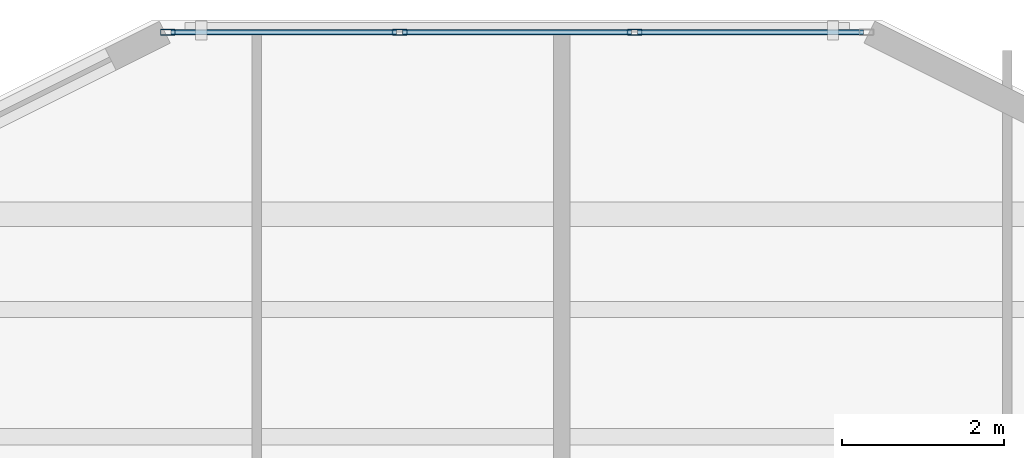
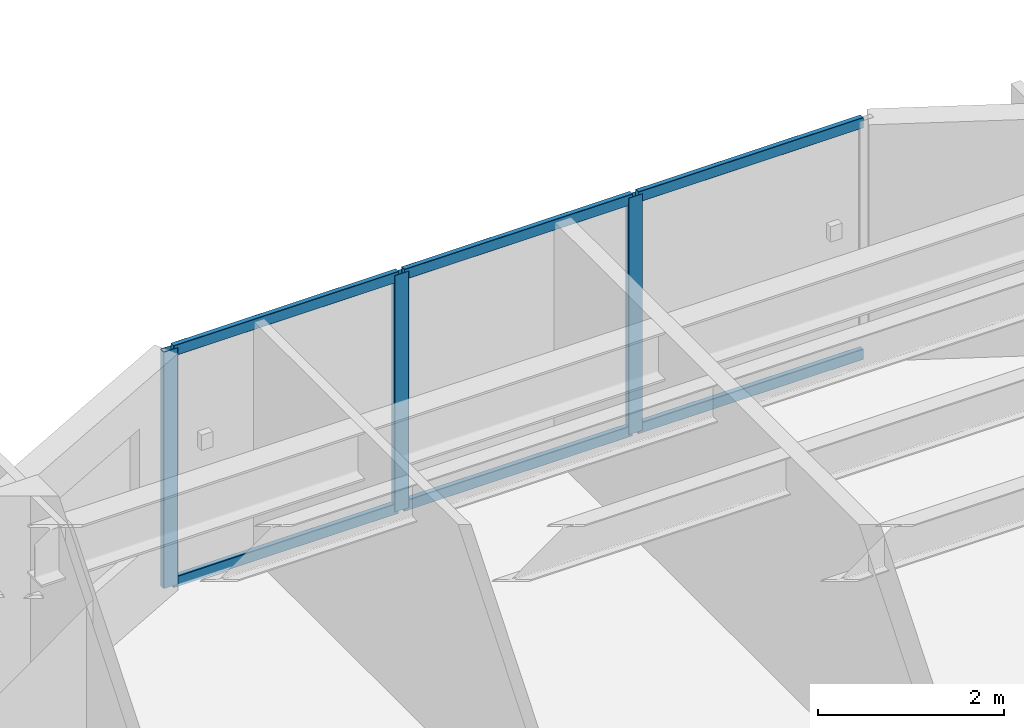
# One storey, part 6 of 22: 9 members, 1 element without a shape of its own.
"""IFC4 building model written with IfcOpenShell, lengths in metres."""

from ifc_helpers import new_model, si_unit, direction, frame, origin, origin_2d, place, context, subcontext, project, spatial, hollow_rectangle, extrude, material, layer, layer_set, material_profile, profile_set, type_object, element, aggregate, save


model = new_model("IFC4")

# Units and contexts
model_context = context("Model", 3, precision=1e-05, world=origin(), true_north=direction((0.0, 1.0)))
body_context = subcontext(model_context, "Body", "Model", "MODEL_VIEW")
ifc_project = project(units=[si_unit("LENGTHUNIT", "METRE"), si_unit("AREAUNIT", "SQUARE_METRE"), si_unit("VOLUMEUNIT", "CUBIC_METRE"), si_unit("PLANEANGLEUNIT", "RADIAN"), si_unit("MASSUNIT", "GRAM", prefix="KILO")], contexts=[model_context])

# Site, building, storey
site_placement = place(None, origin())
site = spatial("IfcSite", under=ifc_project, at=site_placement, CompositionType="ELEMENT")
building_placement = place(site_placement, origin())
building = spatial("IfcBuilding", under=site, at=building_placement, Name="Tarnavaz Court Tower", CompositionType="ELEMENT")
storey_placement = place(building_placement, frame((0.0, 0.0, 57.5)))
storey = spatial("IfcBuildingStorey", under=building, at=storey_placement, Name="L15", CompositionType="ELEMENT", Elevation=57.5)

# Curtain wall, members
ifc_material_1 = material(Name="Anodised Aluminium 6063-T6 and Solar Low-E Glazing", Category="aluminium")
ifc_layer = layer(ifc_material_1, 0.179931640625)
ifc_layer_set = layer_set([ifc_layer], Name="Anodised Aluminium 6063-T6 and Solar Low-E Glazing")
curtain_wall_type = type_object("IfcCurtainWallType", Name="CW-SYS-02", PredefinedType="NOTDEFINED", material=ifc_layer_set)
curtain_wall_placement = place(storey_placement, origin())
curtain_wall = element("IfcCurtainWall", 1, at=curtain_wall_placement, inside=storey, type_object=curtain_wall_type, Name="L15 Iwan Prow Curtain Wall 7", PredefinedType="NOTDEFINED")
ifc_material_2 = material(Name="Anodised Aluminium 6063-T6", Category="aluminium")
ifc_material_profile_1 = material_profile(ifc_material_2, hollow_rectangle(XDim=0.074951171875, YDim=0.179931640625, WallThickness=0.0048828125, InnerFilletRadius=0.0048828125, OuterFilletRadius=0.010009765625, at=origin_2d()), Name="ALU RHS 180X75X5")
ifc_profile_set_1 = profile_set([ifc_material_profile_1], Name="Anodised Aluminium 6063-T6")
member_type_1 = type_object("IfcMemberType", Name="CW-MUL-180", PredefinedType="MULLION", material=ifc_profile_set_1)
member_1_placement = place(storey_placement, frame((-4.3125, 25.050048828125, 0.0), z_axis=(0.0, 0.0, 1.0), x_axis=(0.0, 1.0, 0.0)))
member_1 = element("IfcMember", 2, at=member_1_placement, type_object=member_type_1, Name="CW mullion 1", PredefinedType="MULLION", context=body_context, shape_type="SweptSolid", body=[
    extrude(hollow_rectangle(XDim=0.074951171875, YDim=0.179931640625, WallThickness=0.0048828125, InnerFilletRadius=0.0048828125, OuterFilletRadius=0.010009765625, at=origin_2d()), origin(), (0.0, 0.0, 1.0), 3.10009765625),
])
member_2_placement = place(storey_placement, frame((-1.449951171875, 25.050048828125, 0.0), z_axis=(0.0, 0.0, 1.0), x_axis=(0.0, 1.0, 0.0)))
member_2 = element("IfcMember", 3, at=member_2_placement, type_object=member_type_1, Name="CW mullion 2", PredefinedType="MULLION", context=body_context, shape_type="SweptSolid", body=[
    extrude(hollow_rectangle(XDim=0.074951171875, YDim=0.179931640625, WallThickness=0.0048828125, InnerFilletRadius=0.0048828125, OuterFilletRadius=0.010009765625, at=origin_2d()), origin(), (0.0, 0.0, 1.0), 3.10009765625),
])
member_3_placement = place(storey_placement, frame((1.449951171875, 25.050048828125, 0.0), z_axis=(0.0, 0.0, 1.0), x_axis=(0.0, 1.0, 0.0)))
member_3 = element("IfcMember", 4, at=member_3_placement, type_object=member_type_1, Name="CW mullion 3", PredefinedType="MULLION", context=body_context, shape_type="SweptSolid", body=[
    extrude(hollow_rectangle(XDim=0.074951171875, YDim=0.179931640625, WallThickness=0.0048828125, InnerFilletRadius=0.0048828125, OuterFilletRadius=0.010009765625, at=origin_2d()), origin(), (0.0, 0.0, 1.0), 3.10009765625),
])
ifc_material_profile_2 = material_profile(ifc_material_2, hollow_rectangle(XDim=0.06494140625, YDim=0.139892578125, WallThickness=0.00390625, InnerFilletRadius=0.00390625, OuterFilletRadius=0.008056640625, at=origin_2d()), Name="ALU RHS 140X65X4")
ifc_profile_set_2 = profile_set([ifc_material_profile_2], Name="Anodised Aluminium 6063-T6")
member_type_2 = type_object("IfcMemberType", Name="CW-TRN-140", PredefinedType="USERDEFINED", material=ifc_profile_set_2)
member_4_placement = place(storey_placement, frame((-4.27490234375, 25.050048828125, 0.032470703125), z_axis=(1.0, 0.0, 0.0), x_axis=(0.0, 1.0, 0.0)))
member_4 = element("IfcMember", 5, at=member_4_placement, type_object=member_type_2, Name="CW transom 1.1", ObjectType="TRANSOM", PredefinedType="USERDEFINED", context=body_context, shape_type="SweptSolid", body=[
    extrude(hollow_rectangle(XDim=0.06494140625, YDim=0.139892578125, WallThickness=0.00390625, InnerFilletRadius=0.00390625, OuterFilletRadius=0.008056640625, at=origin_2d()), origin(), (0.0, 0.0, 1.0), 2.787353515625),
])
member_5_placement = place(storey_placement, frame((-4.27490234375, 25.050048828125, 3.0673828125), z_axis=(1.0, 0.0, 0.0), x_axis=(0.0, 1.0, 0.0)))
member_5 = element("IfcMember", 6, at=member_5_placement, type_object=member_type_2, Name="CW transom 1.2", ObjectType="TRANSOM", PredefinedType="USERDEFINED", context=body_context, shape_type="SweptSolid", body=[
    extrude(hollow_rectangle(XDim=0.06494140625, YDim=0.139892578125, WallThickness=0.00390625, InnerFilletRadius=0.00390625, OuterFilletRadius=0.008056640625, at=origin_2d()), origin(), (0.0, 0.0, 1.0), 2.787353515625),
])
member_6_placement = place(storey_placement, frame((-1.41259765625, 25.050048828125, 0.032470703125), z_axis=(1.0, 0.0, 0.0), x_axis=(0.0, 1.0, 0.0)))
member_6 = element("IfcMember", 7, at=member_6_placement, type_object=member_type_2, Name="CW transom 2.1", ObjectType="TRANSOM", PredefinedType="USERDEFINED", context=body_context, shape_type="SweptSolid", body=[
    extrude(hollow_rectangle(XDim=0.06494140625, YDim=0.139892578125, WallThickness=0.00390625, InnerFilletRadius=0.00390625, OuterFilletRadius=0.008056640625, at=origin_2d()), origin(), (0.0, 0.0, 1.0), 2.8251953125),
])
member_7_placement = place(storey_placement, frame((-1.41259765625, 25.050048828125, 3.0673828125), z_axis=(1.0, 0.0, 0.0), x_axis=(0.0, 1.0, 0.0)))
member_7 = element("IfcMember", 8, at=member_7_placement, type_object=member_type_2, Name="CW transom 2.2", ObjectType="TRANSOM", PredefinedType="USERDEFINED", context=body_context, shape_type="SweptSolid", body=[
    extrude(hollow_rectangle(XDim=0.06494140625, YDim=0.139892578125, WallThickness=0.00390625, InnerFilletRadius=0.00390625, OuterFilletRadius=0.008056640625, at=origin_2d()), origin(), (0.0, 0.0, 1.0), 2.8251953125),
])
member_8_placement = place(storey_placement, frame((1.487548828125, 25.050048828125, 0.032470703125), z_axis=(1.0, 0.0, 0.0), x_axis=(0.0, 1.0, 0.0)))
member_8 = element("IfcMember", 9, at=member_8_placement, type_object=member_type_2, Name="CW transom 3.1", ObjectType="TRANSOM", PredefinedType="USERDEFINED", context=body_context, shape_type="SweptSolid", body=[
    extrude(hollow_rectangle(XDim=0.06494140625, YDim=0.139892578125, WallThickness=0.00390625, InnerFilletRadius=0.00390625, OuterFilletRadius=0.008056640625, at=origin_2d()), origin(), (0.0, 0.0, 1.0), 2.787353515625),
])
member_9_placement = place(storey_placement, frame((1.487548828125, 25.050048828125, 3.0673828125), z_axis=(1.0, 0.0, 0.0), x_axis=(0.0, 1.0, 0.0)))
member_9 = element("IfcMember", 10, at=member_9_placement, type_object=member_type_2, Name="CW transom 3.2", ObjectType="TRANSOM", PredefinedType="USERDEFINED", context=body_context, shape_type="SweptSolid", body=[
    extrude(hollow_rectangle(XDim=0.06494140625, YDim=0.139892578125, WallThickness=0.00390625, InnerFilletRadius=0.00390625, OuterFilletRadius=0.008056640625, at=origin_2d()), origin(), (0.0, 0.0, 1.0), 2.787353515625),
])
aggregate(curtain_wall, [member_1, member_2, member_3, member_4, member_5, member_6, member_7, member_8, member_9])

save(model, "model.ifc")
